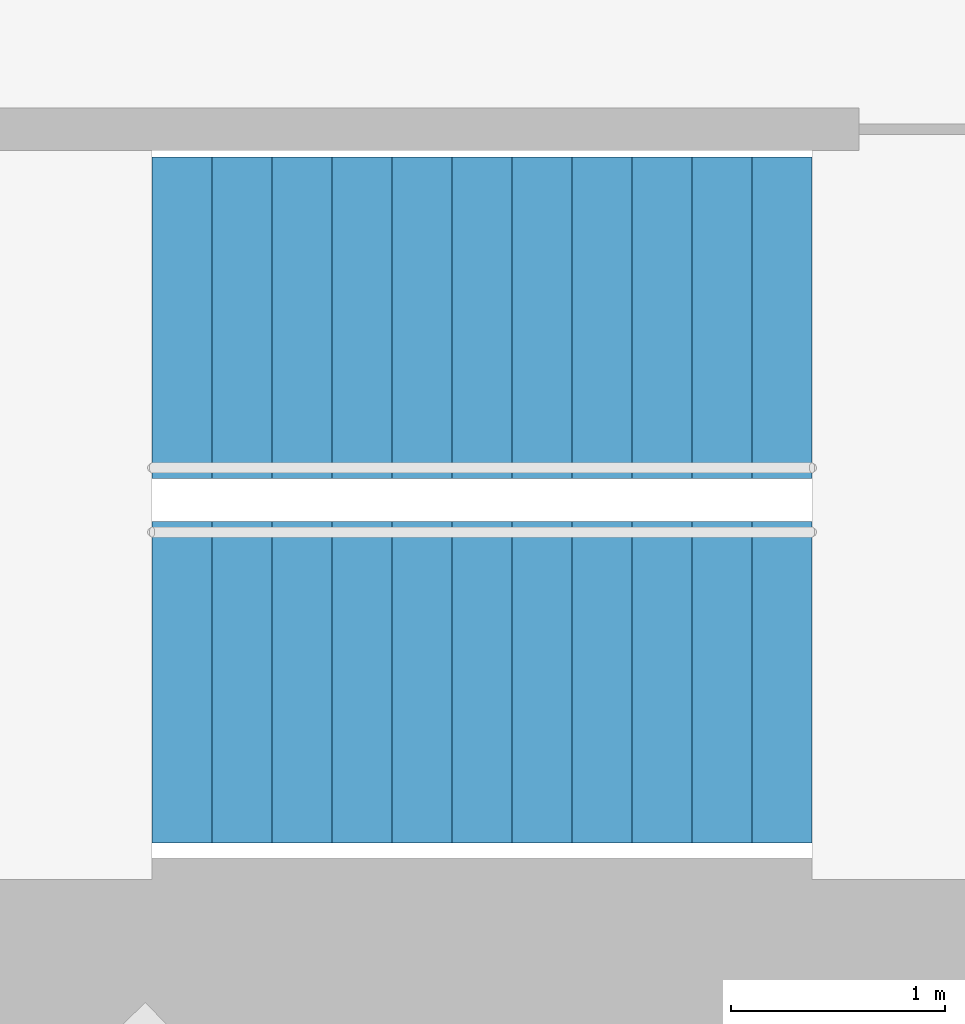
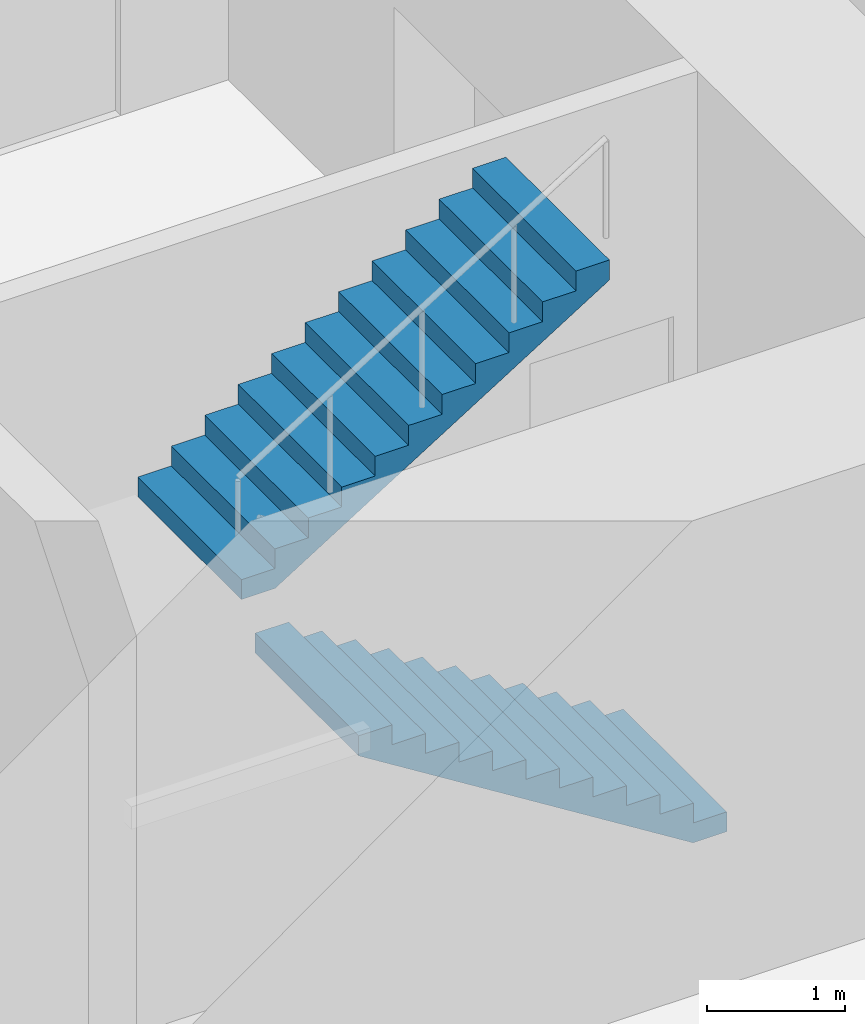
# One storey, part 16 of 17: 2 stair flights, 1 element without a shape of its own.
"""IFC4 building model written with IfcOpenShell, lengths in metres."""

from ifc_helpers import new_model, si_unit, direction, frame, origin, place, context, subcontext, project, spatial, triangles, material, type_object, element, aggregate, save


model = new_model("IFC4")

# Units and contexts
model_context = context("Model", 3, precision=1e-05, world=origin(), true_north=direction((0.0, 1.0)))
body_context = subcontext(model_context, "Body", "Model", "MODEL_VIEW")
ifc_project = project(units=[si_unit("LENGTHUNIT", "METRE"), si_unit("AREAUNIT", "SQUARE_METRE"), si_unit("VOLUMEUNIT", "CUBIC_METRE"), si_unit("PLANEANGLEUNIT", "RADIAN"), si_unit("MASSUNIT", "GRAM", prefix="KILO")], contexts=[model_context])

# Site, building, storey
site_placement = place(None, origin())
site = spatial("IfcSite", under=ifc_project, at=site_placement, CompositionType="ELEMENT")
building_placement = place(site_placement, origin())
building = spatial("IfcBuilding", under=site, at=building_placement, Name="Lantaw Convention Tower", CompositionType="ELEMENT")
storey_placement = place(building_placement, frame((0.0, 0.0, 155.199951171875)))
storey = spatial("IfcBuildingStorey", under=building, at=storey_placement, Name="L36", CompositionType="ELEMENT", Elevation=155.199951171875)

# Stair, stair flights
ifc_material = material(Name="Concrete C35/45", Category="concrete")
stair_type = type_object("IfcStairType", Name="Exit stair 1500 riser 175 in 2 flights", PredefinedType="HALF_TURN_STAIR", material=ifc_material)
stair_placement = place(storey_placement, origin())
stair = element("IfcStair", 1, at=stair_placement, inside=storey, type_object=stair_type, Name="Exit stair S2 L36", PredefinedType="HALF_TURN_STAIR")
stair_flight_type = type_object("IfcStairFlightType", Name="Stair flight 1500 riser 175", PredefinedType="STRAIGHT", material=ifc_material)
stair_flight_1_placement = place(storey_placement, frame((10.580078125, -5.97998046875, 0.0), z_axis=(0.0, 0.0, 1.0), x_axis=(-1.0, 0.0, 0.0)))
stair_flight_1 = element("IfcStairFlight", 2, at=stair_flight_1_placement, type_object=stair_flight_type, Name="S2 flight 1", NumberOfRisers=12, NumberOfTreads=11, PredefinedType="STRAIGHT", RiserHeight=0.175, TreadLength=0.28, context=body_context, shape_type="Tessellation", body=[
    triangles([(0.0, 0.75, 0.0), (0.0, 0.75, 0.175), (0.28, 0.75, 0.0), (0.28, 0.75, 0.175), (0.28, 0.75, 0.35), (0.28283517651771284, 0.75, 0.0), (0.28283517651771284, 0.75, 0.35), (0.56, 0.75, 0.17322801467642948), (0.56, 0.75, 0.35), (0.56, 0.75, 0.5249999999999999), (0.8400000000000001, 0.75, 0.34822801467642944), (0.8400000000000001, 0.75, 0.5249999999999999), (0.8400000000000001, 0.75, 0.7), (1.12, 0.75, 0.5232280146764294), (1.12, 0.75, 0.7), (1.12, 0.75, 0.875), (1.4000000000000001, 0.75, 0.6982280146764295), (1.4000000000000001, 0.75, 0.875), (1.4000000000000001, 0.75, 1.0499999999999998), (1.6800000000000002, 0.75, 0.8732280146764294), (1.6800000000000002, 0.75, 1.0499999999999998), (1.6800000000000002, 0.75, 1.2249999999999999), (1.9600000000000002, 0.75, 1.0482280146764293), (1.9600000000000002, 0.75, 1.2249999999999999), (1.9600000000000002, 0.75, 1.4), (2.24, 0.75, 1.2232280146764294), (2.24, 0.75, 1.4), (2.24, 0.75, 1.575), (2.5200000000000005, 0.75, 1.3982280146764294), (2.5200000000000005, 0.75, 1.575), (2.5200000000000005, 0.75, 1.75), (2.8000000000000003, 0.75, 1.5732280146764293), (2.8000000000000003, 0.75, 1.75), (2.8000000000000003, 0.75, 1.9249999999999998), (3.08, 0.75, 1.7482280146764293), (3.08, 0.75, 1.9249999999999998), (0.0, -0.75, 0.0), (0.0, -0.75, 0.175), (0.28, -0.75, 0.0), (0.28, -0.75, 0.175), (0.28, -0.75, 0.35), (0.28283517651771284, -0.75, 0.0), (0.28283517651771284, -0.75, 0.35), (0.56, -0.75, 0.17322801467642948), (0.56, -0.75, 0.35), (0.56, -0.75, 0.5249999999999999), (0.8400000000000001, -0.75, 0.34822801467642944), (0.8400000000000001, -0.75, 0.5249999999999999), (0.8400000000000001, -0.75, 0.7), (1.12, -0.75, 0.5232280146764294), (1.12, -0.75, 0.7), (1.12, -0.75, 0.875), (1.4000000000000001, -0.75, 0.6982280146764295), (1.4000000000000001, -0.75, 0.875), (1.4000000000000001, -0.75, 1.0499999999999998), (1.6800000000000002, -0.75, 0.8732280146764294), (1.6800000000000002, -0.75, 1.0499999999999998), (1.6800000000000002, -0.75, 1.2249999999999999), (1.9600000000000002, -0.75, 1.0482280146764293), (1.9600000000000002, -0.75, 1.2249999999999999), (1.9600000000000002, -0.75, 1.4), (2.24, -0.75, 1.2232280146764294), (2.24, -0.75, 1.4), (2.24, -0.75, 1.575), (2.5200000000000005, -0.75, 1.3982280146764294), (2.5200000000000005, -0.75, 1.575), (2.5200000000000005, -0.75, 1.75), (2.8000000000000003, -0.75, 1.5732280146764293), (2.8000000000000003, -0.75, 1.75), (2.8000000000000003, -0.75, 1.9249999999999998), (3.08, -0.75, 1.7482280146764293), (3.08, -0.75, 1.9249999999999998), (0.0, 0.15000000000000002, 0.175), (0.0, 0.15000000000000002, 0.0), (0.0, 0.0, 0.175), (0.0, 0.0, 0.0), (0.0, -0.15000000000000002, 0.175), (0.0, -0.15000000000000002, 0.0), (0.28, 0.15000000000000002, 0.35), (0.28, 0.15000000000000002, 0.175), (0.28, 0.0, 0.35), (0.28, 0.0, 0.175), (0.28, -0.15000000000000002, 0.35), (0.28, -0.15000000000000002, 0.175), (0.56, 0.15000000000000002, 0.5249999999999999), (0.56, 0.15000000000000002, 0.35), (0.56, 0.0, 0.5249999999999999), (0.56, 0.0, 0.35), (0.56, -0.15000000000000002, 0.5249999999999999), (0.56, -0.15000000000000002, 0.35), (0.8400000000000001, 0.15000000000000002, 0.7), (0.8400000000000001, 0.15000000000000002, 0.5249999999999999), (0.8400000000000001, 0.0, 0.7), (0.8400000000000001, 0.0, 0.5249999999999999), (0.8400000000000001, -0.15000000000000002, 0.7), (0.8400000000000001, -0.15000000000000002, 0.5249999999999999), (1.12, 0.15000000000000002, 0.875), (1.12, 0.15000000000000002, 0.7), (1.12, 0.0, 0.875), (1.12, 0.0, 0.7), (1.12, -0.15000000000000002, 0.875), (1.12, -0.15000000000000002, 0.7), (1.4000000000000001, 0.15000000000000002, 1.0499999999999998), (1.4000000000000001, 0.15000000000000002, 0.875), (1.4000000000000001, 0.0, 1.0499999999999998), (1.4000000000000001, 0.0, 0.875), (1.4000000000000001, -0.15000000000000002, 1.0499999999999998), (1.4000000000000001, -0.15000000000000002, 0.875), (1.6800000000000002, 0.15000000000000002, 1.2249999999999999), (1.6800000000000002, 0.15000000000000002, 1.0499999999999998), (1.6800000000000002, 0.0, 1.2249999999999999), (1.6800000000000002, 0.0, 1.0499999999999998), (1.6800000000000002, -0.15000000000000002, 1.2249999999999999), (1.6800000000000002, -0.15000000000000002, 1.0499999999999998), (1.9600000000000002, 0.15000000000000002, 1.4), (1.9600000000000002, 0.15000000000000002, 1.2249999999999999), (1.9600000000000002, 0.0, 1.4), (1.9600000000000002, 0.0, 1.2249999999999999), (1.9600000000000002, -0.15000000000000002, 1.4), (1.9600000000000002, -0.15000000000000002, 1.2249999999999999), (2.24, 0.15000000000000002, 1.575), (2.24, 0.15000000000000002, 1.4), (2.24, 0.0, 1.575), (2.24, 0.0, 1.4), (2.24, -0.15000000000000002, 1.575), (2.24, -0.15000000000000002, 1.4), (2.5200000000000005, 0.15000000000000002, 1.75), (2.5200000000000005, 0.15000000000000002, 1.575), (2.5200000000000005, 0.0, 1.75), (2.5200000000000005, 0.0, 1.575), (2.5200000000000005, -0.15000000000000002, 1.75), (2.5200000000000005, -0.15000000000000002, 1.575), (2.8000000000000003, 0.15000000000000002, 1.9249999999999998), (2.8000000000000003, 0.15000000000000002, 1.75), (2.8000000000000003, 0.0, 1.9249999999999998), (2.8000000000000003, 0.0, 1.75), (2.8000000000000003, -0.15000000000000002, 1.9249999999999998), (2.8000000000000003, -0.15000000000000002, 1.75), (0.28283517651771284, 0.15000000000000002, 0.35), (0.28283517651771284, 0.0, 0.35), (0.28283517651771284, -0.15000000000000002, 0.35), (3.08, 0.15000000000000002, 1.9249999999999998), (3.08, 0.0, 1.9249999999999998), (3.08, -0.15000000000000002, 1.9249999999999998), (3.08, 0.15000000000000002, 1.7482280146764293), (3.08, 0.0, 1.7482280146764293), (3.08, -0.15000000000000002, 1.7482280146764293), (2.8000000000000003, 0.15000000000000002, 1.5732280146764293), (2.8000000000000003, 0.0, 1.5732280146764293), (2.8000000000000003, -0.15000000000000002, 1.5732280146764293), (2.5200000000000005, 0.15000000000000002, 1.3982280146764294), (2.5200000000000005, 0.0, 1.3982280146764294), (2.5200000000000005, -0.15000000000000002, 1.3982280146764294), (2.24, 0.15000000000000002, 1.2232280146764294), (2.24, 0.0, 1.2232280146764294), (2.24, -0.15000000000000002, 1.2232280146764294), (1.9600000000000002, 0.15000000000000002, 1.0482280146764293), (1.9600000000000002, 0.0, 1.0482280146764293), (1.9600000000000002, -0.15000000000000002, 1.0482280146764293), (1.6800000000000002, 0.15000000000000002, 0.8732280146764294), (1.6800000000000002, 0.0, 0.8732280146764294), (1.6800000000000002, -0.15000000000000002, 0.8732280146764294), (1.4000000000000001, 0.15000000000000002, 0.6982280146764295), (1.4000000000000001, 0.0, 0.6982280146764295), (1.4000000000000001, -0.15000000000000002, 0.6982280146764295), (1.12, 0.15000000000000002, 0.5232280146764294), (1.12, 0.0, 0.5232280146764294), (1.12, -0.15000000000000002, 0.5232280146764294), (0.8400000000000001, 0.15000000000000002, 0.34822801467642944), (0.8400000000000001, 0.0, 0.34822801467642944), (0.8400000000000001, -0.15000000000000002, 0.34822801467642944), (0.56, 0.15000000000000002, 0.17322801467642948), (0.56, 0.0, 0.17322801467642948), (0.56, -0.15000000000000002, 0.17322801467642948), (0.28283517651771284, 0.15000000000000002, 0.0), (0.28283517651771284, 0.0, 0.0), (0.28283517651771284, -0.15000000000000002, 0.0), (0.28, 0.15000000000000002, 0.0), (0.28, 0.0, 0.0), (0.28, -0.15000000000000002, 0.0)], [[1, 4, 3], [1, 2, 4], [3, 4, 6], [4, 7, 6], [4, 5, 7], [6, 9, 8], [6, 7, 9], [8, 9, 11], [9, 12, 11], [9, 10, 12], [11, 12, 14], [12, 15, 14], [12, 13, 15], [14, 15, 17], [15, 18, 17], [15, 16, 18], [17, 18, 20], [18, 21, 20], [18, 19, 21], [20, 21, 23], [21, 24, 23], [21, 22, 24], [23, 24, 26], [24, 27, 26], [24, 25, 27], [26, 27, 29], [27, 30, 29], [27, 28, 30], [29, 30, 32], [30, 33, 32], [30, 31, 33], [32, 33, 35], [33, 36, 35], [33, 34, 36], [37, 39, 40], [37, 40, 38], [39, 42, 40], [40, 42, 43], [40, 43, 41], [42, 44, 45], [42, 45, 43], [44, 47, 45], [45, 47, 48], [45, 48, 46], [47, 50, 48], [48, 50, 51], [48, 51, 49], [50, 53, 51], [51, 53, 54], [51, 54, 52], [53, 56, 54], [54, 56, 57], [54, 57, 55], [56, 59, 57], [57, 59, 60], [57, 60, 58], [59, 62, 60], [60, 62, 63], [60, 63, 61], [62, 65, 63], [63, 65, 66], [63, 66, 64], [65, 68, 66], [66, 68, 69], [66, 69, 67], [68, 71, 69], [69, 71, 72], [69, 72, 70], [1, 73, 2], [1, 74, 73], [74, 75, 73], [74, 76, 75], [76, 77, 75], [76, 78, 77], [78, 38, 77], [78, 37, 38], [4, 79, 5], [4, 80, 79], [80, 81, 79], [80, 82, 81], [82, 83, 81], [82, 84, 83], [84, 41, 83], [84, 40, 41], [9, 85, 10], [9, 86, 85], [86, 87, 85], [86, 88, 87], [88, 89, 87], [88, 90, 89], [90, 46, 89], [90, 45, 46], [12, 91, 13], [12, 92, 91], [92, 93, 91], [92, 94, 93], [94, 95, 93], [94, 96, 95], [96, 49, 95], [96, 48, 49], [15, 97, 16], [15, 98, 97], [98, 99, 97], [98, 100, 99], [100, 101, 99], [100, 102, 101], [102, 52, 101], [102, 51, 52], [18, 103, 19], [18, 104, 103], [104, 105, 103], [104, 106, 105], [106, 107, 105], [106, 108, 107], [108, 55, 107], [108, 54, 55], [21, 109, 22], [21, 110, 109], [110, 111, 109], [110, 112, 111], [112, 113, 111], [112, 114, 113], [114, 58, 113], [114, 57, 58], [24, 115, 25], [24, 116, 115], [116, 117, 115], [116, 118, 117], [118, 119, 117], [118, 120, 119], [120, 61, 119], [120, 60, 61], [27, 121, 28], [27, 122, 121], [122, 123, 121], [122, 124, 123], [124, 125, 123], [124, 126, 125], [126, 64, 125], [126, 63, 64], [30, 127, 31], [30, 128, 127], [128, 129, 127], [128, 130, 129], [130, 131, 129], [130, 132, 131], [132, 67, 131], [132, 66, 67], [33, 133, 34], [33, 134, 133], [134, 135, 133], [134, 136, 135], [136, 137, 135], [136, 138, 137], [138, 70, 137], [138, 69, 70], [2, 80, 4], [2, 73, 80], [73, 82, 80], [73, 75, 82], [75, 84, 82], [75, 77, 84], [77, 40, 84], [77, 38, 40], [5, 139, 7], [5, 79, 139], [79, 140, 139], [79, 81, 140], [81, 141, 140], [81, 83, 141], [83, 43, 141], [83, 41, 43], [7, 86, 9], [7, 139, 86], [139, 88, 86], [139, 140, 88], [140, 90, 88], [140, 141, 90], [141, 45, 90], [141, 43, 45], [10, 92, 12], [10, 85, 92], [85, 94, 92], [85, 87, 94], [87, 96, 94], [87, 89, 96], [89, 48, 96], [89, 46, 48], [13, 98, 15], [13, 91, 98], [91, 100, 98], [91, 93, 100], [93, 102, 100], [93, 95, 102], [95, 51, 102], [95, 49, 51], [16, 104, 18], [16, 97, 104], [97, 106, 104], [97, 99, 106], [99, 108, 106], [99, 101, 108], [101, 54, 108], [101, 52, 54], [19, 110, 21], [19, 103, 110], [103, 112, 110], [103, 105, 112], [105, 114, 112], [105, 107, 114], [107, 57, 114], [107, 55, 57], [22, 116, 24], [22, 109, 116], [109, 118, 116], [109, 111, 118], [111, 120, 118], [111, 113, 120], [113, 60, 120], [113, 58, 60], [25, 122, 27], [25, 115, 122], [115, 124, 122], [115, 117, 124], [117, 126, 124], [117, 119, 126], [119, 63, 126], [119, 61, 63], [28, 128, 30], [28, 121, 128], [121, 130, 128], [121, 123, 130], [123, 132, 130], [123, 125, 132], [125, 66, 132], [125, 64, 66], [31, 134, 33], [31, 127, 134], [127, 136, 134], [127, 129, 136], [129, 138, 136], [129, 131, 138], [131, 69, 138], [131, 67, 69], [34, 142, 36], [34, 133, 142], [133, 143, 142], [133, 135, 143], [135, 144, 143], [135, 137, 144], [137, 72, 144], [137, 70, 72], [36, 145, 35], [36, 142, 145], [142, 146, 145], [142, 143, 146], [143, 147, 146], [143, 144, 147], [144, 71, 147], [144, 72, 71], [35, 148, 32], [35, 145, 148], [145, 149, 148], [145, 146, 149], [146, 150, 149], [146, 147, 150], [147, 68, 150], [147, 71, 68], [32, 151, 29], [32, 148, 151], [148, 152, 151], [148, 149, 152], [149, 153, 152], [149, 150, 153], [150, 65, 153], [150, 68, 65], [29, 154, 26], [29, 151, 154], [151, 155, 154], [151, 152, 155], [152, 156, 155], [152, 153, 156], [153, 62, 156], [153, 65, 62], [26, 157, 23], [26, 154, 157], [154, 158, 157], [154, 155, 158], [155, 159, 158], [155, 156, 159], [156, 59, 159], [156, 62, 59], [23, 160, 20], [23, 157, 160], [157, 161, 160], [157, 158, 161], [158, 162, 161], [158, 159, 162], [159, 56, 162], [159, 59, 56], [20, 163, 17], [20, 160, 163], [160, 164, 163], [160, 161, 164], [161, 165, 164], [161, 162, 165], [162, 53, 165], [162, 56, 53], [17, 166, 14], [17, 163, 166], [163, 167, 166], [163, 164, 167], [164, 168, 167], [164, 165, 168], [165, 50, 168], [165, 53, 50], [14, 169, 11], [14, 166, 169], [166, 170, 169], [166, 167, 170], [167, 171, 170], [167, 168, 171], [168, 47, 171], [168, 50, 47], [11, 172, 8], [11, 169, 172], [169, 173, 172], [169, 170, 173], [170, 174, 173], [170, 171, 174], [171, 44, 174], [171, 47, 44], [8, 175, 6], [8, 172, 175], [172, 176, 175], [172, 173, 176], [173, 177, 176], [173, 174, 177], [174, 42, 177], [174, 44, 42], [6, 178, 3], [6, 175, 178], [175, 179, 178], [175, 176, 179], [176, 180, 179], [176, 177, 180], [177, 39, 180], [177, 42, 39], [3, 74, 1], [3, 178, 74], [178, 76, 74], [178, 179, 76], [179, 78, 76], [179, 180, 78], [180, 37, 78], [180, 39, 37]], closed=True),
])
stair_flight_2_placement = place(storey_placement, frame((7.5, -4.280029296875, 2.10009765625), z_axis=(0.0, 0.0, 1.0), x_axis=(1.0, 0.0, 0.0)))
stair_flight_2 = element("IfcStairFlight", 3, at=stair_flight_2_placement, type_object=stair_flight_type, Name="S2 flight 2", NumberOfRisers=12, NumberOfTreads=11, PredefinedType="STRAIGHT", RiserHeight=0.175, TreadLength=0.28, context=body_context, shape_type="Tessellation", body=[
    triangles([(0.0, 0.75, 0.0), (0.0, 0.75, 0.175), (0.28, 0.75, 0.0), (0.28, 0.75, 0.175), (0.28, 0.75, 0.35), (0.28283517651771284, 0.75, 0.0), (0.28283517651771284, 0.75, 0.35), (0.56, 0.75, 0.17322801467642948), (0.56, 0.75, 0.35), (0.56, 0.75, 0.5249999999999999), (0.8400000000000001, 0.75, 0.34822801467642944), (0.8400000000000001, 0.75, 0.5249999999999999), (0.8400000000000001, 0.75, 0.7), (1.12, 0.75, 0.5232280146764294), (1.12, 0.75, 0.7), (1.12, 0.75, 0.875), (1.4000000000000001, 0.75, 0.6982280146764295), (1.4000000000000001, 0.75, 0.875), (1.4000000000000001, 0.75, 1.0499999999999998), (1.6800000000000002, 0.75, 0.8732280146764294), (1.6800000000000002, 0.75, 1.0499999999999998), (1.6800000000000002, 0.75, 1.2249999999999999), (1.9600000000000002, 0.75, 1.0482280146764293), (1.9600000000000002, 0.75, 1.2249999999999999), (1.9600000000000002, 0.75, 1.4), (2.24, 0.75, 1.2232280146764294), (2.24, 0.75, 1.4), (2.24, 0.75, 1.575), (2.5200000000000005, 0.75, 1.3982280146764294), (2.5200000000000005, 0.75, 1.575), (2.5200000000000005, 0.75, 1.75), (2.8000000000000003, 0.75, 1.5732280146764293), (2.8000000000000003, 0.75, 1.75), (2.8000000000000003, 0.75, 1.9249999999999998), (3.08, 0.75, 1.7482280146764293), (3.08, 0.75, 1.9249999999999998), (0.0, -0.75, 0.0), (0.0, -0.75, 0.175), (0.28, -0.75, 0.0), (0.28, -0.75, 0.175), (0.28, -0.75, 0.35), (0.28283517651771284, -0.75, 0.0), (0.28283517651771284, -0.75, 0.35), (0.56, -0.75, 0.17322801467642948), (0.56, -0.75, 0.35), (0.56, -0.75, 0.5249999999999999), (0.8400000000000001, -0.75, 0.34822801467642944), (0.8400000000000001, -0.75, 0.5249999999999999), (0.8400000000000001, -0.75, 0.7), (1.12, -0.75, 0.5232280146764294), (1.12, -0.75, 0.7), (1.12, -0.75, 0.875), (1.4000000000000001, -0.75, 0.6982280146764295), (1.4000000000000001, -0.75, 0.875), (1.4000000000000001, -0.75, 1.0499999999999998), (1.6800000000000002, -0.75, 0.8732280146764294), (1.6800000000000002, -0.75, 1.0499999999999998), (1.6800000000000002, -0.75, 1.2249999999999999), (1.9600000000000002, -0.75, 1.0482280146764293), (1.9600000000000002, -0.75, 1.2249999999999999), (1.9600000000000002, -0.75, 1.4), (2.24, -0.75, 1.2232280146764294), (2.24, -0.75, 1.4), (2.24, -0.75, 1.575), (2.5200000000000005, -0.75, 1.3982280146764294), (2.5200000000000005, -0.75, 1.575), (2.5200000000000005, -0.75, 1.75), (2.8000000000000003, -0.75, 1.5732280146764293), (2.8000000000000003, -0.75, 1.75), (2.8000000000000003, -0.75, 1.9249999999999998), (3.08, -0.75, 1.7482280146764293), (3.08, -0.75, 1.9249999999999998), (0.0, 0.15000000000000002, 0.175), (0.0, 0.15000000000000002, 0.0), (0.0, 0.0, 0.175), (0.0, 0.0, 0.0), (0.0, -0.15000000000000002, 0.175), (0.0, -0.15000000000000002, 0.0), (0.28, 0.15000000000000002, 0.35), (0.28, 0.15000000000000002, 0.175), (0.28, 0.0, 0.35), (0.28, 0.0, 0.175), (0.28, -0.15000000000000002, 0.35), (0.28, -0.15000000000000002, 0.175), (0.56, 0.15000000000000002, 0.5249999999999999), (0.56, 0.15000000000000002, 0.35), (0.56, 0.0, 0.5249999999999999), (0.56, 0.0, 0.35), (0.56, -0.15000000000000002, 0.5249999999999999), (0.56, -0.15000000000000002, 0.35), (0.8400000000000001, 0.15000000000000002, 0.7), (0.8400000000000001, 0.15000000000000002, 0.5249999999999999), (0.8400000000000001, 0.0, 0.7), (0.8400000000000001, 0.0, 0.5249999999999999), (0.8400000000000001, -0.15000000000000002, 0.7), (0.8400000000000001, -0.15000000000000002, 0.5249999999999999), (1.12, 0.15000000000000002, 0.875), (1.12, 0.15000000000000002, 0.7), (1.12, 0.0, 0.875), (1.12, 0.0, 0.7), (1.12, -0.15000000000000002, 0.875), (1.12, -0.15000000000000002, 0.7), (1.4000000000000001, 0.15000000000000002, 1.0499999999999998), (1.4000000000000001, 0.15000000000000002, 0.875), (1.4000000000000001, 0.0, 1.0499999999999998), (1.4000000000000001, 0.0, 0.875), (1.4000000000000001, -0.15000000000000002, 1.0499999999999998), (1.4000000000000001, -0.15000000000000002, 0.875), (1.6800000000000002, 0.15000000000000002, 1.2249999999999999), (1.6800000000000002, 0.15000000000000002, 1.0499999999999998), (1.6800000000000002, 0.0, 1.2249999999999999), (1.6800000000000002, 0.0, 1.0499999999999998), (1.6800000000000002, -0.15000000000000002, 1.2249999999999999), (1.6800000000000002, -0.15000000000000002, 1.0499999999999998), (1.9600000000000002, 0.15000000000000002, 1.4), (1.9600000000000002, 0.15000000000000002, 1.2249999999999999), (1.9600000000000002, 0.0, 1.4), (1.9600000000000002, 0.0, 1.2249999999999999), (1.9600000000000002, -0.15000000000000002, 1.4), (1.9600000000000002, -0.15000000000000002, 1.2249999999999999), (2.24, 0.15000000000000002, 1.575), (2.24, 0.15000000000000002, 1.4), (2.24, 0.0, 1.575), (2.24, 0.0, 1.4), (2.24, -0.15000000000000002, 1.575), (2.24, -0.15000000000000002, 1.4), (2.5200000000000005, 0.15000000000000002, 1.75), (2.5200000000000005, 0.15000000000000002, 1.575), (2.5200000000000005, 0.0, 1.75), (2.5200000000000005, 0.0, 1.575), (2.5200000000000005, -0.15000000000000002, 1.75), (2.5200000000000005, -0.15000000000000002, 1.575), (2.8000000000000003, 0.15000000000000002, 1.9249999999999998), (2.8000000000000003, 0.15000000000000002, 1.75), (2.8000000000000003, 0.0, 1.9249999999999998), (2.8000000000000003, 0.0, 1.75), (2.8000000000000003, -0.15000000000000002, 1.9249999999999998), (2.8000000000000003, -0.15000000000000002, 1.75), (0.28283517651771284, 0.15000000000000002, 0.35), (0.28283517651771284, 0.0, 0.35), (0.28283517651771284, -0.15000000000000002, 0.35), (3.08, 0.15000000000000002, 1.9249999999999998), (3.08, 0.0, 1.9249999999999998), (3.08, -0.15000000000000002, 1.9249999999999998), (3.08, 0.15000000000000002, 1.7482280146764293), (3.08, 0.0, 1.7482280146764293), (3.08, -0.15000000000000002, 1.7482280146764293), (2.8000000000000003, 0.15000000000000002, 1.5732280146764293), (2.8000000000000003, 0.0, 1.5732280146764293), (2.8000000000000003, -0.15000000000000002, 1.5732280146764293), (2.5200000000000005, 0.15000000000000002, 1.3982280146764294), (2.5200000000000005, 0.0, 1.3982280146764294), (2.5200000000000005, -0.15000000000000002, 1.3982280146764294), (2.24, 0.15000000000000002, 1.2232280146764294), (2.24, 0.0, 1.2232280146764294), (2.24, -0.15000000000000002, 1.2232280146764294), (1.9600000000000002, 0.15000000000000002, 1.0482280146764293), (1.9600000000000002, 0.0, 1.0482280146764293), (1.9600000000000002, -0.15000000000000002, 1.0482280146764293), (1.6800000000000002, 0.15000000000000002, 0.8732280146764294), (1.6800000000000002, 0.0, 0.8732280146764294), (1.6800000000000002, -0.15000000000000002, 0.8732280146764294), (1.4000000000000001, 0.15000000000000002, 0.6982280146764295), (1.4000000000000001, 0.0, 0.6982280146764295), (1.4000000000000001, -0.15000000000000002, 0.6982280146764295), (1.12, 0.15000000000000002, 0.5232280146764294), (1.12, 0.0, 0.5232280146764294), (1.12, -0.15000000000000002, 0.5232280146764294), (0.8400000000000001, 0.15000000000000002, 0.34822801467642944), (0.8400000000000001, 0.0, 0.34822801467642944), (0.8400000000000001, -0.15000000000000002, 0.34822801467642944), (0.56, 0.15000000000000002, 0.17322801467642948), (0.56, 0.0, 0.17322801467642948), (0.56, -0.15000000000000002, 0.17322801467642948), (0.28283517651771284, 0.15000000000000002, 0.0), (0.28283517651771284, 0.0, 0.0), (0.28283517651771284, -0.15000000000000002, 0.0), (0.28, 0.15000000000000002, 0.0), (0.28, 0.0, 0.0), (0.28, -0.15000000000000002, 0.0)], [[1, 4, 3], [1, 2, 4], [3, 4, 6], [4, 7, 6], [4, 5, 7], [6, 9, 8], [6, 7, 9], [8, 9, 11], [9, 12, 11], [9, 10, 12], [11, 12, 14], [12, 15, 14], [12, 13, 15], [14, 15, 17], [15, 18, 17], [15, 16, 18], [17, 18, 20], [18, 21, 20], [18, 19, 21], [20, 21, 23], [21, 24, 23], [21, 22, 24], [23, 24, 26], [24, 27, 26], [24, 25, 27], [26, 27, 29], [27, 30, 29], [27, 28, 30], [29, 30, 32], [30, 33, 32], [30, 31, 33], [32, 33, 35], [33, 36, 35], [33, 34, 36], [37, 39, 40], [37, 40, 38], [39, 42, 40], [40, 42, 43], [40, 43, 41], [42, 44, 45], [42, 45, 43], [44, 47, 45], [45, 47, 48], [45, 48, 46], [47, 50, 48], [48, 50, 51], [48, 51, 49], [50, 53, 51], [51, 53, 54], [51, 54, 52], [53, 56, 54], [54, 56, 57], [54, 57, 55], [56, 59, 57], [57, 59, 60], [57, 60, 58], [59, 62, 60], [60, 62, 63], [60, 63, 61], [62, 65, 63], [63, 65, 66], [63, 66, 64], [65, 68, 66], [66, 68, 69], [66, 69, 67], [68, 71, 69], [69, 71, 72], [69, 72, 70], [1, 73, 2], [1, 74, 73], [74, 75, 73], [74, 76, 75], [76, 77, 75], [76, 78, 77], [78, 38, 77], [78, 37, 38], [4, 79, 5], [4, 80, 79], [80, 81, 79], [80, 82, 81], [82, 83, 81], [82, 84, 83], [84, 41, 83], [84, 40, 41], [9, 85, 10], [9, 86, 85], [86, 87, 85], [86, 88, 87], [88, 89, 87], [88, 90, 89], [90, 46, 89], [90, 45, 46], [12, 91, 13], [12, 92, 91], [92, 93, 91], [92, 94, 93], [94, 95, 93], [94, 96, 95], [96, 49, 95], [96, 48, 49], [15, 97, 16], [15, 98, 97], [98, 99, 97], [98, 100, 99], [100, 101, 99], [100, 102, 101], [102, 52, 101], [102, 51, 52], [18, 103, 19], [18, 104, 103], [104, 105, 103], [104, 106, 105], [106, 107, 105], [106, 108, 107], [108, 55, 107], [108, 54, 55], [21, 109, 22], [21, 110, 109], [110, 111, 109], [110, 112, 111], [112, 113, 111], [112, 114, 113], [114, 58, 113], [114, 57, 58], [24, 115, 25], [24, 116, 115], [116, 117, 115], [116, 118, 117], [118, 119, 117], [118, 120, 119], [120, 61, 119], [120, 60, 61], [27, 121, 28], [27, 122, 121], [122, 123, 121], [122, 124, 123], [124, 125, 123], [124, 126, 125], [126, 64, 125], [126, 63, 64], [30, 127, 31], [30, 128, 127], [128, 129, 127], [128, 130, 129], [130, 131, 129], [130, 132, 131], [132, 67, 131], [132, 66, 67], [33, 133, 34], [33, 134, 133], [134, 135, 133], [134, 136, 135], [136, 137, 135], [136, 138, 137], [138, 70, 137], [138, 69, 70], [2, 80, 4], [2, 73, 80], [73, 82, 80], [73, 75, 82], [75, 84, 82], [75, 77, 84], [77, 40, 84], [77, 38, 40], [5, 139, 7], [5, 79, 139], [79, 140, 139], [79, 81, 140], [81, 141, 140], [81, 83, 141], [83, 43, 141], [83, 41, 43], [7, 86, 9], [7, 139, 86], [139, 88, 86], [139, 140, 88], [140, 90, 88], [140, 141, 90], [141, 45, 90], [141, 43, 45], [10, 92, 12], [10, 85, 92], [85, 94, 92], [85, 87, 94], [87, 96, 94], [87, 89, 96], [89, 48, 96], [89, 46, 48], [13, 98, 15], [13, 91, 98], [91, 100, 98], [91, 93, 100], [93, 102, 100], [93, 95, 102], [95, 51, 102], [95, 49, 51], [16, 104, 18], [16, 97, 104], [97, 106, 104], [97, 99, 106], [99, 108, 106], [99, 101, 108], [101, 54, 108], [101, 52, 54], [19, 110, 21], [19, 103, 110], [103, 112, 110], [103, 105, 112], [105, 114, 112], [105, 107, 114], [107, 57, 114], [107, 55, 57], [22, 116, 24], [22, 109, 116], [109, 118, 116], [109, 111, 118], [111, 120, 118], [111, 113, 120], [113, 60, 120], [113, 58, 60], [25, 122, 27], [25, 115, 122], [115, 124, 122], [115, 117, 124], [117, 126, 124], [117, 119, 126], [119, 63, 126], [119, 61, 63], [28, 128, 30], [28, 121, 128], [121, 130, 128], [121, 123, 130], [123, 132, 130], [123, 125, 132], [125, 66, 132], [125, 64, 66], [31, 134, 33], [31, 127, 134], [127, 136, 134], [127, 129, 136], [129, 138, 136], [129, 131, 138], [131, 69, 138], [131, 67, 69], [34, 142, 36], [34, 133, 142], [133, 143, 142], [133, 135, 143], [135, 144, 143], [135, 137, 144], [137, 72, 144], [137, 70, 72], [36, 145, 35], [36, 142, 145], [142, 146, 145], [142, 143, 146], [143, 147, 146], [143, 144, 147], [144, 71, 147], [144, 72, 71], [35, 148, 32], [35, 145, 148], [145, 149, 148], [145, 146, 149], [146, 150, 149], [146, 147, 150], [147, 68, 150], [147, 71, 68], [32, 151, 29], [32, 148, 151], [148, 152, 151], [148, 149, 152], [149, 153, 152], [149, 150, 153], [150, 65, 153], [150, 68, 65], [29, 154, 26], [29, 151, 154], [151, 155, 154], [151, 152, 155], [152, 156, 155], [152, 153, 156], [153, 62, 156], [153, 65, 62], [26, 157, 23], [26, 154, 157], [154, 158, 157], [154, 155, 158], [155, 159, 158], [155, 156, 159], [156, 59, 159], [156, 62, 59], [23, 160, 20], [23, 157, 160], [157, 161, 160], [157, 158, 161], [158, 162, 161], [158, 159, 162], [159, 56, 162], [159, 59, 56], [20, 163, 17], [20, 160, 163], [160, 164, 163], [160, 161, 164], [161, 165, 164], [161, 162, 165], [162, 53, 165], [162, 56, 53], [17, 166, 14], [17, 163, 166], [163, 167, 166], [163, 164, 167], [164, 168, 167], [164, 165, 168], [165, 50, 168], [165, 53, 50], [14, 169, 11], [14, 166, 169], [166, 170, 169], [166, 167, 170], [167, 171, 170], [167, 168, 171], [168, 47, 171], [168, 50, 47], [11, 172, 8], [11, 169, 172], [169, 173, 172], [169, 170, 173], [170, 174, 173], [170, 171, 174], [171, 44, 174], [171, 47, 44], [8, 175, 6], [8, 172, 175], [172, 176, 175], [172, 173, 176], [173, 177, 176], [173, 174, 177], [174, 42, 177], [174, 44, 42], [6, 178, 3], [6, 175, 178], [175, 179, 178], [175, 176, 179], [176, 180, 179], [176, 177, 180], [177, 39, 180], [177, 42, 39], [3, 74, 1], [3, 178, 74], [178, 76, 74], [178, 179, 76], [179, 78, 76], [179, 180, 78], [180, 37, 78], [180, 39, 37]], closed=True),
])
aggregate(stair, [stair_flight_1, stair_flight_2])

save(model, "model.ifc")
